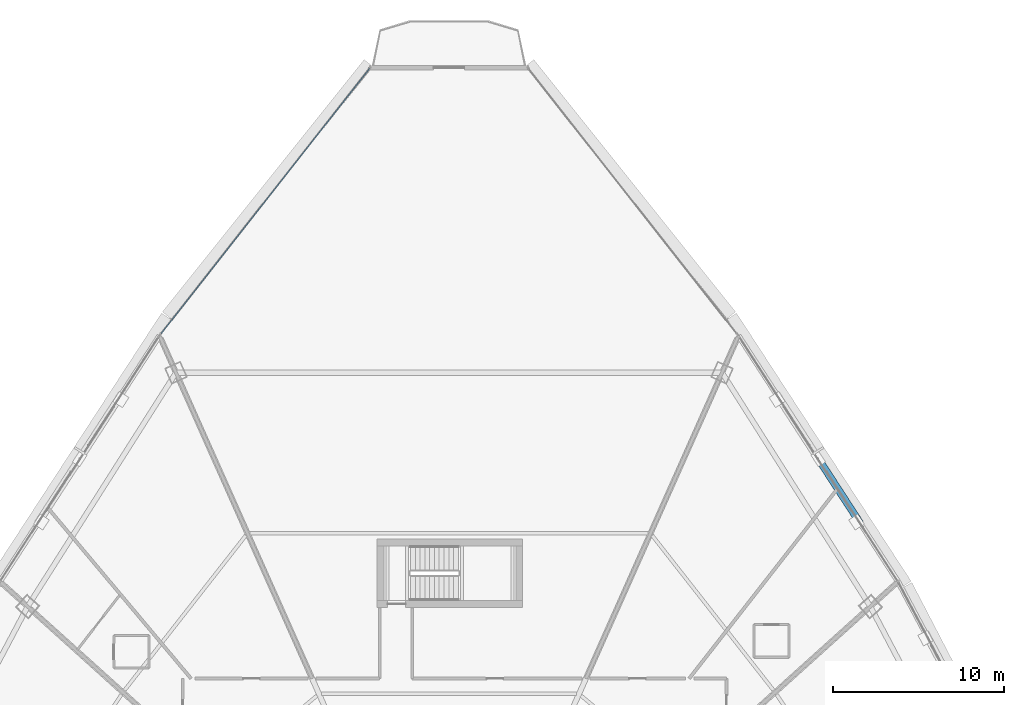
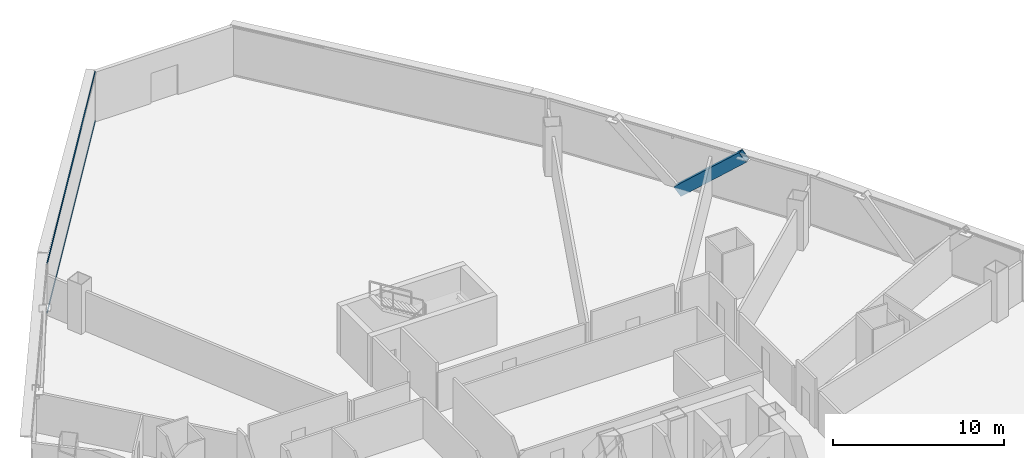
# One storey, part 25 of 37: 3 members, 1 element without a shape of its own.
"""IFC4 building model written with IfcOpenShell, lengths in metres."""

from ifc_helpers import new_model, si_unit, direction, frame, origin, origin_2d, place, context, subcontext, project, spatial, hollow_rectangle, extrude, source, transform, mapped, material, layer, layer_set, material_profile, profile_set, type_object, element, aggregate, save


model = new_model("IFC4")

# Units and contexts
model_context = context("Model", 3, precision=1e-05, world=origin(), true_north=direction((0.0, 1.0)))
body_context = subcontext(model_context, "Body", "Model", "MODEL_VIEW")
ifc_project = project(units=[si_unit("LENGTHUNIT", "METRE"), si_unit("AREAUNIT", "SQUARE_METRE"), si_unit("VOLUMEUNIT", "CUBIC_METRE"), si_unit("PLANEANGLEUNIT", "RADIAN"), si_unit("MASSUNIT", "GRAM", prefix="KILO"), si_unit("THERMODYNAMICTEMPERATUREUNIT", "KELVIN"), si_unit("POWERUNIT", "WATT")], contexts=[model_context])

# Site, building, storey
site_placement = place(None, origin())
site = spatial("IfcSite", under=ifc_project, at=site_placement, CompositionType="ELEMENT")
building_placement = place(site_placement, origin())
building = spatial("IfcBuilding", under=site, at=building_placement, Name="Yunzhuo Pagoda Commons", CompositionType="ELEMENT")
storey_placement = place(building_placement, frame((0.0, 0.0, 88.780029296875)))
storey = spatial("IfcBuildingStorey", under=building, at=storey_placement, Name="L22", CompositionType="ELEMENT", Elevation=88.780029296875)

# Member
ifc_material_1 = material(Name="Structural steel Q420B", Category="steel")
ifc_material_profile_1 = material_profile(ifc_material_1, hollow_rectangle(XDim=0.419921875, YDim=0.719970703125, WallThickness=0.028076171875, at=origin_2d()), Name="Structural steel Q420B")
ifc_profile_set_1 = profile_set([ifc_material_profile_1], Name="Structural steel Q420B")
member_type_1 = type_object("IfcMemberType", Name="M-DL1 Brace BOX 720x420x28", PredefinedType="BRACE", material=ifc_profile_set_1)
shared_shape_1 = source(origin(), body_context, "Body", "SweptSolid", [
    extrude(hollow_rectangle(XDim=0.419921875, YDim=0.719970703125, WallThickness=0.028076171875, at=origin_2d()), origin(), (0.0, 0.0, 1.0), 5.722412109375),
])
member_1_placement = place(storey_placement, frame((69.56201171875, 64.48779296875, -0.259765625), z_axis=(0.406963100016, -0.627275234252, 0.664008144317), x_axis=(0.838911296143, 0.544268166627, 0.0)))
element("IfcMember", 1, at=member_1_placement, inside=storey, type_object=member_type_1, Name="L22 facade diamond brace F2.3L", PredefinedType="BRACE", context=body_context, shape_type="MappedRepresentation", body=[
    mapped(shared_shape_1, transform((0.0, 0.0, 0.0), scale=1.0)),
])

# Curtain wall, members
ifc_material_2 = material(Name="Anodized aluminium 6063-T6", Category="aluminium")
ifc_layer = layer(ifc_material_2, 0.1650390625)
ifc_layer_set = layer_set([ifc_layer], Name="Anodized aluminium 6063-T6")
curtain_wall_type = type_object("IfcCurtainWallType", Name="CW-LOW Low-Zone Ribbon Curtain Wall", PredefinedType="NOTDEFINED", material=ifc_layer_set)
curtain_wall_placement = place(storey_placement, origin())
curtain_wall = element("IfcCurtainWall", 2, at=curtain_wall_placement, inside=storey, type_object=curtain_wall_type, Name="L22 curtain wall CW-L22-F3B1", PredefinedType="NOTDEFINED")
ifc_material_profile_2 = material_profile(ifc_material_2, hollow_rectangle(XDim=0.06005859375, YDim=0.139892578125, WallThickness=0.00341796875, at=origin_2d()), Name="Anodized aluminium 6063-T6")
ifc_profile_set_2 = profile_set([ifc_material_profile_2], Name="Anodized aluminium 6063-T6")
member_type_2 = type_object("IfcMemberType", Name="CW-LOW-T Transom RHS 140x60x3.5", PredefinedType="USERDEFINED", material=ifc_profile_set_2)
shared_shape_2 = source(origin(), body_context, "Body", "SweptSolid", [
    extrude(hollow_rectangle(XDim=0.06005859375, YDim=0.139892578125, WallThickness=0.00341796875, at=origin_2d()), origin(), (0.0, 0.0, 1.0), 19.706298828125),
])
member_2_placement = place(storey_placement, frame((43.3623046875, 87.268798828125, 0.030029296875), z_axis=(-0.61806117369, -0.786130005519, 0.0), x_axis=(0.786130005519, -0.61806117369, 0.0)))
member_2 = element("IfcMember", 3, at=member_2_placement, type_object=member_type_2, Name="CW transom 1.1", ObjectType="TRANSOM", PredefinedType="USERDEFINED", context=body_context, shape_type="MappedRepresentation", body=[
    mapped(shared_shape_2, transform((0.0, 0.0, 0.0), scale=1.0)),
])
member_3_placement = place(storey_placement, frame((43.3623046875, 87.268798828125, 3.510009765625), z_axis=(-0.61806117369, -0.786130005519, 0.0), x_axis=(0.786130005519, -0.61806117369, 0.0)))
member_3 = element("IfcMember", 4, at=member_3_placement, type_object=member_type_2, Name="CW transom 1.2", ObjectType="TRANSOM", PredefinedType="USERDEFINED", context=body_context, shape_type="MappedRepresentation", body=[
    mapped(shared_shape_2, transform((0.0, 0.0, 0.0), scale=1.0)),
])
aggregate(curtain_wall, [member_2, member_3])

save(model, "model.ifc")
